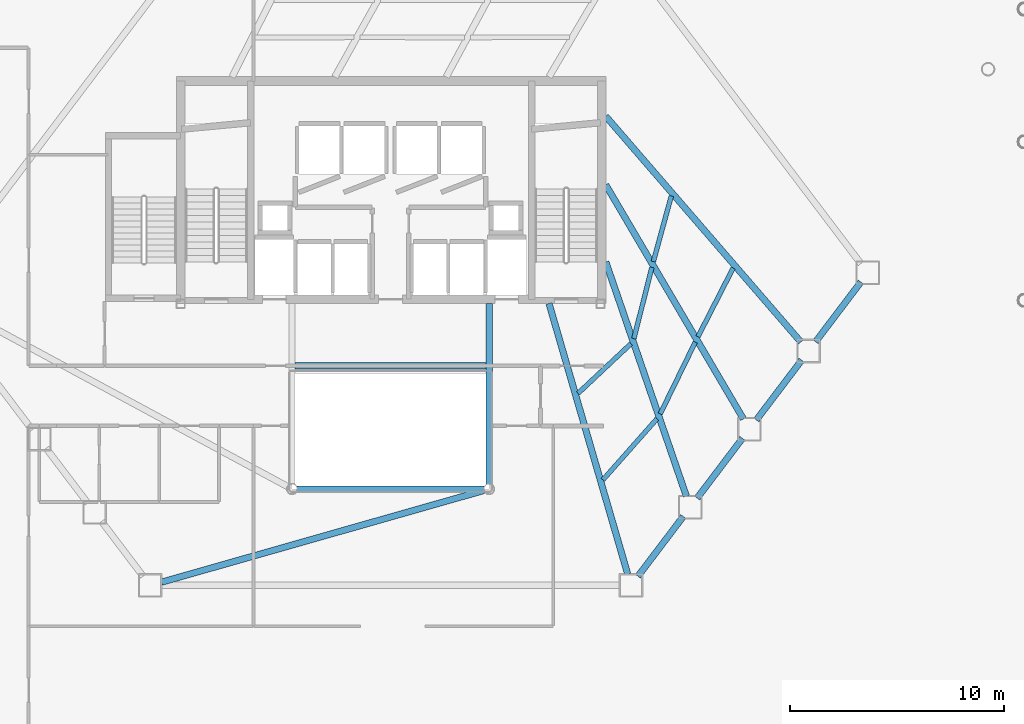
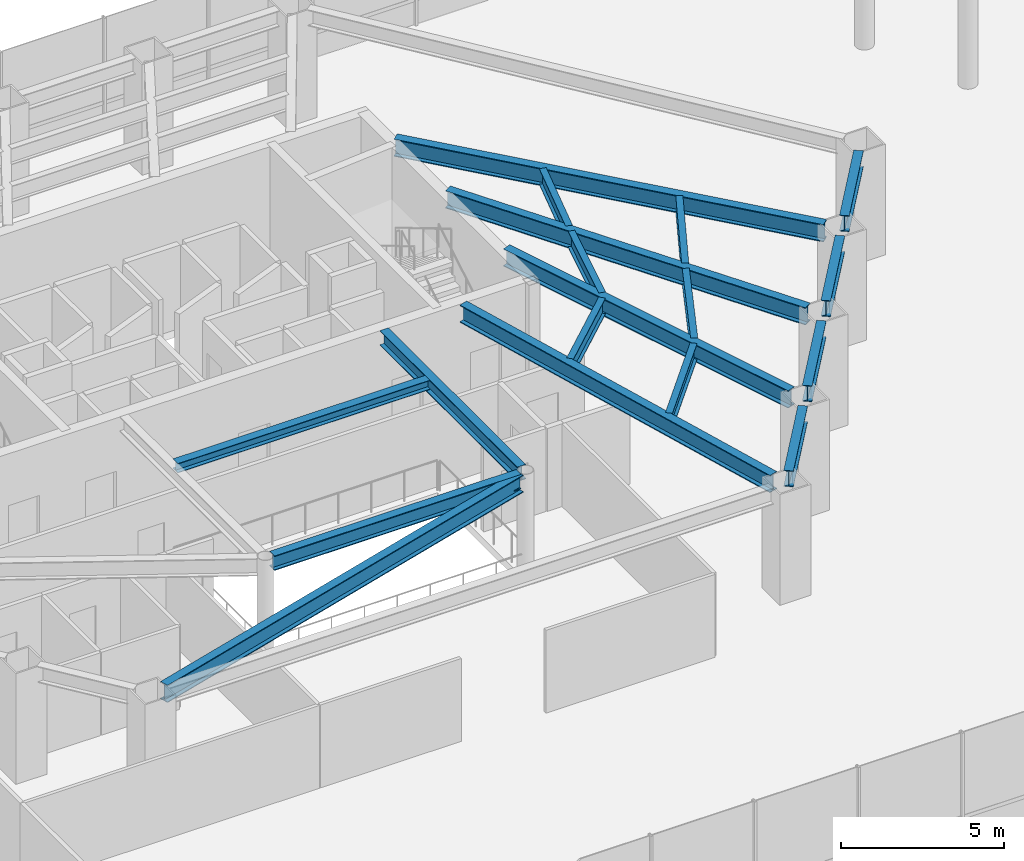
# One storey, part 16 of 37: 18 beams.
"""IFC4 building model written with IfcOpenShell, lengths in metres."""

from ifc_helpers import new_model, si_unit, direction, frame, origin, origin_2d, place, context, subcontext, project, spatial, i_section, extrude, material, material_profile, profile_set, type_object, element, save


model = new_model("IFC4")

# Units and contexts
model_context = context("Model", 3, precision=1e-05, world=origin(), true_north=direction((0.0, 1.0)))
body_context = subcontext(model_context, "Body", "Model", "MODEL_VIEW")
ifc_project = project(units=[si_unit("LENGTHUNIT", "METRE"), si_unit("AREAUNIT", "SQUARE_METRE"), si_unit("VOLUMEUNIT", "CUBIC_METRE"), si_unit("PLANEANGLEUNIT", "RADIAN"), si_unit("MASSUNIT", "GRAM", prefix="KILO")], contexts=[model_context])

# Site, building, storey
site_placement = place(None, origin())
site = spatial("IfcSite", under=ifc_project, at=site_placement, CompositionType="ELEMENT")
building_placement = place(site_placement, origin())
building = spatial("IfcBuilding", under=site, at=building_placement, Name="Zarrinselat Tower", CompositionType="ELEMENT")
storey_placement = place(building_placement, frame((0.0, 0.0, 9.52001953125)))
storey = spatial("IfcBuildingStorey", under=building, at=storey_placement, Name="L02", CompositionType="ELEMENT", Elevation=9.52001953125)

# Beams
ifc_material_1 = material(Name="Steel S355J2", Category="steel")
ifc_material_profile_1 = material_profile(ifc_material_1, i_section(OverallWidth=0.300048828125, OverallDepth=0.35009765625, WebThickness=0.010009765625, FlangeThickness=0.017578125, at=origin_2d()), Name="HEA 360")
ifc_profile_set_1 = profile_set([ifc_material_profile_1], Name="Steel S355J2")
beam_type_1 = type_object("IfcBeamType", Name="BM-HEA360", PredefinedType="LINTEL", material=ifc_profile_set_1)
beam_1_placement = place(storey_placement, frame((33.93994140625, 30.14990234375, 3.965087890625), z_axis=(1.0, 0.0, 0.0), x_axis=(0.0, 1.0, 0.0)))
element("IfcBeam", 1, at=beam_1_placement, inside=storey, type_object=beam_type_1, Name="L02 Lift Lobby Ceiling Beam", PredefinedType="LINTEL", context=body_context, shape_type="SweptSolid", body=[
    extrude(i_section(OverallWidth=0.300048828125, OverallDepth=0.35009765625, WebThickness=0.010009765625, FlangeThickness=0.017578125, at=origin_2d()), origin(), (0.0, 0.0, 1.0), 8.920166015625),
])
ifc_material_2 = material(Name="Steel S355J2", Category="steel")
ifc_material_profile_2 = material_profile(ifc_material_2, i_section(OverallWidth=0.300048828125, OverallDepth=0.550048828125, WebThickness=0.014892578125, FlangeThickness=0.029052734375, at=origin_2d()), Name="HEB 550")
ifc_profile_set_2 = profile_set([ifc_material_profile_2], Name="Steel S355J2")
beam_type_2 = type_object("IfcBeamType", Name="BM-HEB550", PredefinedType="BEAM", material=ifc_profile_set_2)
beam_2_placement = place(storey_placement, frame((34.0400390625, 24.39990234375, 3.864990234375), z_axis=(1.0, 0.0, 0.0), x_axis=(0.0, 1.0, 0.0)))
element("IfcBeam", 2, at=beam_2_placement, inside=storey, type_object=beam_type_2, Name="L02 Atrium Edge Beam S", PredefinedType="BEAM", context=body_context, shape_type="SweptSolid", body=[
    extrude(i_section(OverallWidth=0.300048828125, OverallDepth=0.550048828125, WebThickness=0.014892578125, FlangeThickness=0.029052734375, at=origin_2d()), origin(), (0.0, 0.0, 1.0), 8.719970703125),
])
beam_3_placement = place(storey_placement, frame((43.0, 24.639892578125, 3.864990234375), z_axis=(0.0, 1.0, 0.0), x_axis=(-1.0, 0.0, 0.0)))
element("IfcBeam", 3, at=beam_3_placement, inside=storey, type_object=beam_type_2, Name="L02 Atrium Edge Beam E", PredefinedType="BEAM", context=body_context, shape_type="SweptSolid", body=[
    extrude(i_section(OverallWidth=0.300048828125, OverallDepth=0.550048828125, WebThickness=0.014892578125, FlangeThickness=0.029052734375, at=origin_2d()), origin(), (0.0, 0.0, 1.0), 8.420166015625),
])
ifc_material_3 = material(Name="Steel S355J2", Category="steel")
ifc_material_profile_3 = material_profile(ifc_material_3, i_section(OverallWidth=0.300048828125, OverallDepth=0.60009765625, WebThickness=0.015380859375, FlangeThickness=0.030029296875, at=origin_2d()), Name="HEB 600")
ifc_profile_set_3 = profile_set([ifc_material_profile_3], Name="Steel S355J2")
beam_type_3 = type_object("IfcBeamType", Name="BM-HEB600", PredefinedType="BEAM", material=ifc_profile_set_3)
beam_4_placement = place(storey_placement, frame((49.951904296875, 20.32470703125, 3.840087890625), z_axis=(0.60380802351, 0.797129770329, 0.0), x_axis=(-0.797129770329, 0.60380802351, 0.0)))
element("IfcBeam", 4, at=beam_4_placement, inside=storey, type_object=beam_type_3, Name="L02 Perimeter Spandrel Girder SP11", PredefinedType="BEAM", context=body_context, shape_type="SweptSolid", body=[
    extrude(i_section(OverallWidth=0.300048828125, OverallDepth=0.60009765625, WebThickness=0.015380859375, FlangeThickness=0.030029296875, at=origin_2d()), origin(), (0.0, 0.0, 1.0), 3.501953125),
])
beam_5_placement = place(storey_placement, frame((52.71630859375, 23.973876953125, 3.840087890625), z_axis=(0.603841579957, 0.797104350958, 0.0), x_axis=(-0.797104350958, 0.603841579957, 0.0)))
element("IfcBeam", 5, at=beam_5_placement, inside=storey, type_object=beam_type_3, Name="L02 Perimeter Spandrel Girder SP12", PredefinedType="BEAM", context=body_context, shape_type="SweptSolid", body=[
    extrude(i_section(OverallWidth=0.300048828125, OverallDepth=0.60009765625, WebThickness=0.015380859375, FlangeThickness=0.030029296875, at=origin_2d()), origin(), (0.0, 0.0, 1.0), 3.501708984375),
])
for number, where, z_axis, x_axis, name in (
    (6, (55.480712890625, 27.622802734375, 3.840087890625), (0.60380802351, 0.797129770329, 0.0), (-0.797129770329, 0.60380802351, 0.0), "L02 Perimeter Spandrel Girder SP13"),
    (7, (58.2451171875, 31.271728515625, 3.840087890625), (0.60380802351, 0.797129770329, 0.0), (-0.797129770329, 0.60380802351, 0.0), "L02 Perimeter Spandrel Girder SP14"),
):
    element("IfcBeam", number, at=place(storey_placement, frame(where, z_axis=z_axis, x_axis=x_axis)), inside=storey, type_object=beam_type_3, Name=name, PredefinedType="BEAM", context=body_context, shape_type="SweptSolid", body=[
        extrude(i_section(OverallWidth=0.300048828125, OverallDepth=0.60009765625, WebThickness=0.015380859375, FlangeThickness=0.030029296875, at=origin_2d()), origin(), (0.0, 0.0, 1.0), 3.501953125),
    ])
ifc_material_4 = material(Name="Steel S355J2", Category="steel")
ifc_material_profile_4 = material_profile(ifc_material_4, i_section(OverallWidth=0.300048828125, OverallDepth=0.64990234375, WebThickness=0.01611328125, FlangeThickness=0.031005859375, at=origin_2d()), Name="HEB 650")
ifc_profile_set_4 = profile_set([ifc_material_profile_4], Name="Steel S355J2")
beam_type_4 = type_object("IfcBeamType", Name="BM-HEB650", PredefinedType="BEAM", material=ifc_profile_set_4)
beam_6_placement = place(storey_placement, frame((27.703857421875, 20.047119140625, 3.81494140625), z_axis=(0.961813567689, 0.27370542744, 0.0), x_axis=(-0.27370542744, 0.961813567689, 0.0)))
element("IfcBeam", 8, at=beam_6_placement, inside=storey, type_object=beam_type_4, Name="L02 Radial Primary Girder RG10", PredefinedType="BEAM", context=body_context, shape_type="SweptSolid", body=[
    extrude(i_section(OverallWidth=0.300048828125, OverallDepth=0.64990234375, WebThickness=0.01611328125, FlangeThickness=0.031005859375, at=origin_2d()), origin(), (0.0, 0.0, 1.0), 15.6533203125),
])
beam_7_placement = place(storey_placement, frame((45.800048828125, 33.06005859375, 3.81494140625), z_axis=(0.279154101164, -0.960246316214, 0.0), x_axis=(0.960246316214, 0.279154101164, 0.0)))
element("IfcBeam", 9, at=beam_7_placement, inside=storey, type_object=beam_type_4, Name="L02 Radial Primary Girder RG11", PredefinedType="BEAM", context=body_context, shape_type="SweptSolid", body=[
    extrude(i_section(OverallWidth=0.300048828125, OverallDepth=0.64990234375, WebThickness=0.01611328125, FlangeThickness=0.031005859375, at=origin_2d()), origin(), (0.0, 0.0, 1.0), 13.156982421875),
])
beam_8_placement = place(storey_placement, frame((48.449951171875, 35.0, 3.81494140625), z_axis=(0.325366553605, -0.945587968301, 0.0), x_axis=(0.945587968301, 0.325366553605, 0.0)))
element("IfcBeam", 10, at=beam_8_placement, inside=storey, type_object=beam_type_4, Name="L02 Radial Primary Girder RG12", PredefinedType="BEAM", context=body_context, shape_type="SweptSolid", body=[
    extrude(i_section(OverallWidth=0.300048828125, OverallDepth=0.64990234375, WebThickness=0.01611328125, FlangeThickness=0.031005859375, at=origin_2d()), origin(), (0.0, 0.0, 1.0), 11.562255859375),
])
beam_9_placement = place(storey_placement, frame((48.449951171875, 38.60009765625, 3.81494140625), z_axis=(0.506815631178, -0.862054473913, 0.0), x_axis=(0.862054473913, 0.506815631178, 0.0)))
element("IfcBeam", 11, at=beam_9_placement, inside=storey, type_object=beam_type_4, Name="L02 Radial Primary Girder RG13", PredefinedType="BEAM", context=body_context, shape_type="SweptSolid", body=[
    extrude(i_section(OverallWidth=0.300048828125, OverallDepth=0.64990234375, WebThickness=0.01611328125, FlangeThickness=0.031005859375, at=origin_2d()), origin(), (0.0, 0.0, 1.0), 12.67919921875),
])
beam_10_placement = place(storey_placement, frame((48.449951171875, 41.800048828125, 3.81494140625), z_axis=(0.653899074597, -0.756581786882, 0.0), x_axis=(0.756581786882, 0.653899074597, 0.0)))
element("IfcBeam", 12, at=beam_10_placement, inside=storey, type_object=beam_type_4, Name="L02 Radial Primary Girder RG14", PredefinedType="BEAM", context=body_context, shape_type="SweptSolid", body=[
    extrude(i_section(OverallWidth=0.300048828125, OverallDepth=0.64990234375, WebThickness=0.01611328125, FlangeThickness=0.031005859375, at=origin_2d()), origin(), (0.0, 0.0, 1.0), 13.930419921875),
])
ifc_material_5 = material(Name="Steel S355J2", Category="steel")
ifc_material_profile_5 = material_profile(ifc_material_5, i_section(OverallWidth=0.219970703125, OverallDepth=0.60009765625, WebThickness=0.011962890625, FlangeThickness=0.01904296875, at=origin_2d()), Name="IPE 600")
ifc_profile_set_5 = profile_set([ifc_material_profile_5], Name="Steel S355J2")
beam_type_5 = type_object("IfcBeamType", Name="BM-IPE600", PredefinedType="JOIST", material=ifc_profile_set_5)
beam_11_placement = place(storey_placement, frame((48.31689453125, 24.826416015625, 3.840087890625), z_axis=(0.662479827285, 0.749079754393, 0.0), x_axis=(-0.749079754393, 0.662479827285, 0.0)))
element("IfcBeam", 13, at=beam_11_placement, inside=storey, type_object=beam_type_5, Name="L02 Composite Floor Joist 3-1", PredefinedType="JOIST", context=body_context, shape_type="SweptSolid", body=[
    extrude(i_section(OverallWidth=0.219970703125, OverallDepth=0.60009765625, WebThickness=0.011962890625, FlangeThickness=0.01904296875, at=origin_2d()), origin(), (0.0, 0.0, 1.0), 3.80859375),
])
beam_12_placement = place(storey_placement, frame((47.15087890625, 28.8603515625, 3.840087890625), z_axis=(0.728752445386, 0.684777243594, 0.0), x_axis=(-0.684777243594, 0.728752445386, 0.0)))
element("IfcBeam", 14, at=beam_12_placement, inside=storey, type_object=beam_type_5, Name="L02 Composite Floor Joist 3-2", PredefinedType="JOIST", context=body_context, shape_type="SweptSolid", body=[
    extrude(i_section(OverallWidth=0.219970703125, OverallDepth=0.60009765625, WebThickness=0.011962890625, FlangeThickness=0.01904296875, at=origin_2d()), origin(), (0.0, 0.0, 1.0), 3.397705078125),
])
beam_13_placement = place(storey_placement, frame((50.994140625, 27.909912109375, 3.840087890625), z_axis=(0.438680359766, 0.8986431672, 0.0), x_axis=(-0.8986431672, 0.438680359766, 0.0)))
element("IfcBeam", 15, at=beam_13_placement, inside=storey, type_object=beam_type_5, Name="L02 Composite Floor Joist 4-1", PredefinedType="JOIST", context=body_context, shape_type="SweptSolid", body=[
    extrude(i_section(OverallWidth=0.219970703125, OverallDepth=0.60009765625, WebThickness=0.011962890625, FlangeThickness=0.01904296875, at=origin_2d()), origin(), (0.0, 0.0, 1.0), 3.728271484375),
])
beam_14_placement = place(storey_placement, frame((49.76318359375, 31.418701171875, 3.840087890625), z_axis=(0.243924209256, 0.969794297848, 0.0), x_axis=(-0.969794297848, 0.243924209256, 0.0)))
element("IfcBeam", 16, at=beam_14_placement, inside=storey, type_object=beam_type_5, Name="L02 Composite Floor Joist 4-2", PredefinedType="JOIST", context=body_context, shape_type="SweptSolid", body=[
    extrude(i_section(OverallWidth=0.219970703125, OverallDepth=0.60009765625, WebThickness=0.011962890625, FlangeThickness=0.01904296875, at=origin_2d()), origin(), (0.0, 0.0, 1.0), 3.43310546875),
])
beam_15_placement = place(storey_placement, frame((52.7548828125, 31.5107421875, 3.840087890625), z_axis=(0.455833998085, 0.890064810107, 0.0), x_axis=(-0.890064810107, 0.455833998085, 0.0)))
element("IfcBeam", 17, at=beam_15_placement, inside=storey, type_object=beam_type_5, Name="L02 Composite Floor Joist 5-1", PredefinedType="JOIST", context=body_context, shape_type="SweptSolid", body=[
    extrude(i_section(OverallWidth=0.219970703125, OverallDepth=0.60009765625, WebThickness=0.011962890625, FlangeThickness=0.01904296875, at=origin_2d()), origin(), (0.0, 0.0, 1.0), 3.60498046875),
])
beam_16_placement = place(storey_placement, frame((50.671875, 35.018798828125, 3.840087890625), z_axis=(0.26395004358, 0.964536352085, 0.0), x_axis=(-0.964536352085, 0.26395004358, 0.0)))
element("IfcBeam", 18, at=beam_16_placement, inside=storey, type_object=beam_type_5, Name="L02 Composite Floor Joist 5-2", PredefinedType="JOIST", context=body_context, shape_type="SweptSolid", body=[
    extrude(i_section(OverallWidth=0.219970703125, OverallDepth=0.60009765625, WebThickness=0.011962890625, FlangeThickness=0.01904296875, at=origin_2d()), origin(), (0.0, 0.0, 1.0), 3.17529296875),
])

save(model, "model.ifc")
